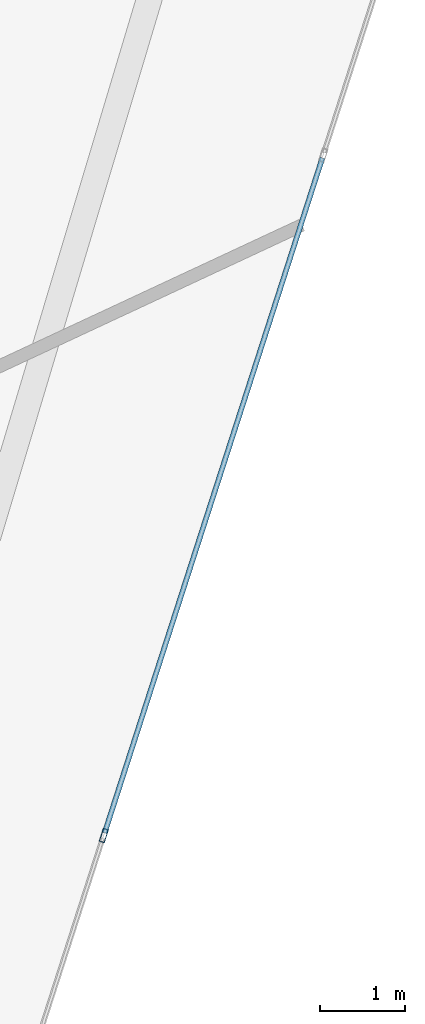
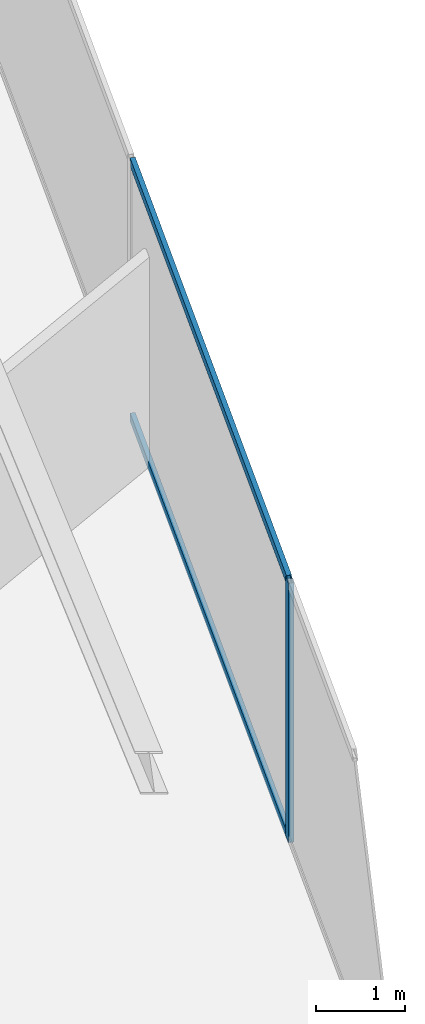
# One storey, part 9 of 15: 3 members, 1 element without a shape of its own.
"""IFC4 building model written with IfcOpenShell, lengths in metres."""

from ifc_helpers import new_model, si_unit, direction, frame, origin, origin_2d, place, context, subcontext, project, spatial, hollow_rectangle, extrude, material, layer, layer_set, material_profile, profile_set, type_object, element, aggregate, save


model = new_model("IFC4")

# Units and contexts
model_context = context("Model", 3, precision=1e-05, world=origin(), true_north=direction((0.0, 1.0)))
body_context = subcontext(model_context, "Body", "Model", "MODEL_VIEW")
ifc_project = project(units=[si_unit("LENGTHUNIT", "METRE"), si_unit("AREAUNIT", "SQUARE_METRE"), si_unit("VOLUMEUNIT", "CUBIC_METRE"), si_unit("PLANEANGLEUNIT", "RADIAN"), si_unit("MASSUNIT", "GRAM", prefix="KILO")], contexts=[model_context])

# Site, building, storey
site_placement = place(None, origin())
site = spatial("IfcSite", under=ifc_project, at=site_placement, CompositionType="ELEMENT")
building_placement = place(site_placement, origin())
building = spatial("IfcBuilding", under=site, at=building_placement, Name="Qianvela Tower", CompositionType="ELEMENT")
storey_placement = place(building_placement, frame((0.0, 0.0, 360.050048828125)))
storey = spatial("IfcBuildingStorey", under=building, at=storey_placement, Name="L93", CompositionType="ELEMENT", Elevation=360.050048828125)

# Curtain wall, members
ifc_material_1 = material(Name="Anodised Architectural Aluminium and Low-E Glass", Category="aluminium")
ifc_layer = layer(ifc_material_1, 0.159912109375)
ifc_layer_set = layer_set([ifc_layer], Name="Anodised Architectural Aluminium and Low-E Glass")
curtain_wall_type = type_object("IfcCurtainWallType", Name="CW-CROWN", PredefinedType="USERDEFINED", material=ifc_layer_set)
curtain_wall_placement = place(storey_placement, origin())
curtain_wall = element("IfcCurtainWall", 1, at=curtain_wall_placement, inside=storey, type_object=curtain_wall_type, Name="L93 CW-CROWN Curtain Wall 06", ObjectType="CURTAIN_WALL_SYSTEM", PredefinedType="USERDEFINED")
ifc_material_2 = material(Name="Anodised Architectural Aluminium 6063-T6", Category="aluminium")
ifc_material_profile_1 = material_profile(ifc_material_2, hollow_rectangle(XDim=0.06494140625, YDim=0.159912109375, WallThickness=0.0048828125, at=origin_2d()), Name="ALU-MULL-65x160")
ifc_profile_set_1 = profile_set([ifc_material_profile_1], Name="Anodised Architectural Aluminium 6063-T6")
member_type_1 = type_object("IfcMemberType", Name="CW-CROWN-MULL", PredefinedType="MULLION", material=ifc_profile_set_1)
member_1_placement = place(storey_placement, frame((47.31982421875, 24.373046875, 0.0), z_axis=(0.0, 0.0, 1.0), x_axis=(-0.951691135027, 0.307056971117, 0.0)))
member_1 = element("IfcMember", 2, at=member_1_placement, type_object=member_type_1, Name="CW-8 mullion 3", PredefinedType="MULLION", context=body_context, shape_type="SweptSolid", body=[
    extrude(hollow_rectangle(XDim=0.06494140625, YDim=0.159912109375, WallThickness=0.0048828125, at=origin_2d()), origin(), (0.0, 0.0, 1.0), 3.550048828125),
])
ifc_material_3 = material(Name="Anodised Architectural Aluminium 6063-T6", Category="aluminium")
ifc_material_profile_2 = material_profile(ifc_material_3, hollow_rectangle(XDim=0.06005859375, YDim=0.114990234375, WallThickness=0.00390625, at=origin_2d()), Name="ALU-TRAN-60x115")
ifc_profile_set_2 = profile_set([ifc_material_profile_2], Name="Anodised Architectural Aluminium 6063-T6")
member_type_2 = type_object("IfcMemberType", Name="CW-CROWN-TRAN", PredefinedType="USERDEFINED", material=ifc_profile_set_2)
member_2_placement = place(storey_placement, frame((47.329833984375, 24.404052734375, 0.030029296875), z_axis=(0.307042096468, 0.951695934107, 0.0), x_axis=(-0.951695934107, 0.307042096468, 0.0)))
member_2 = element("IfcMember", 3, at=member_2_placement, type_object=member_type_2, Name="CW-8 transom 3.1", ObjectType="TRANSOM", PredefinedType="USERDEFINED", context=body_context, shape_type="SweptSolid", body=[
    extrude(hollow_rectangle(XDim=0.06005859375, YDim=0.114990234375, WallThickness=0.00390625, at=origin_2d()), origin(), (0.0, 0.0, 1.0), 8.345703125),
])
member_3_placement = place(storey_placement, frame((47.329833984375, 24.404052734375, 3.52001953125), z_axis=(0.307042096468, 0.951695934107, 0.0), x_axis=(-0.951695934107, 0.307042096468, 0.0)))
member_3 = element("IfcMember", 4, at=member_3_placement, type_object=member_type_2, Name="CW-8 transom 3.2", ObjectType="TRANSOM", PredefinedType="USERDEFINED", context=body_context, shape_type="SweptSolid", body=[
    extrude(hollow_rectangle(XDim=0.06005859375, YDim=0.114990234375, WallThickness=0.00390625, at=origin_2d()), origin(), (0.0, 0.0, 1.0), 8.345703125),
])
aggregate(curtain_wall, [member_1, member_2, member_3])

save(model, "model.ifc")
